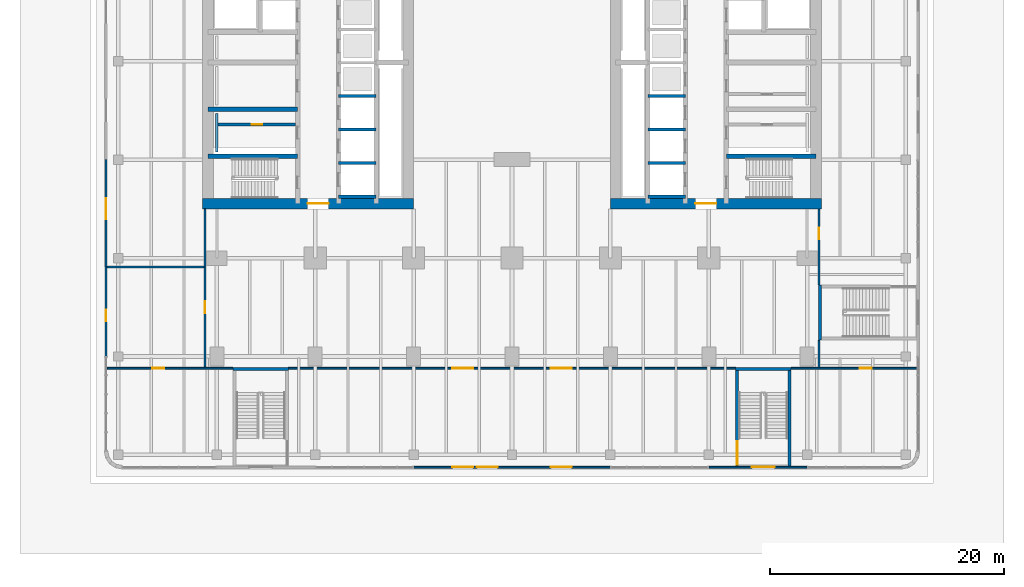
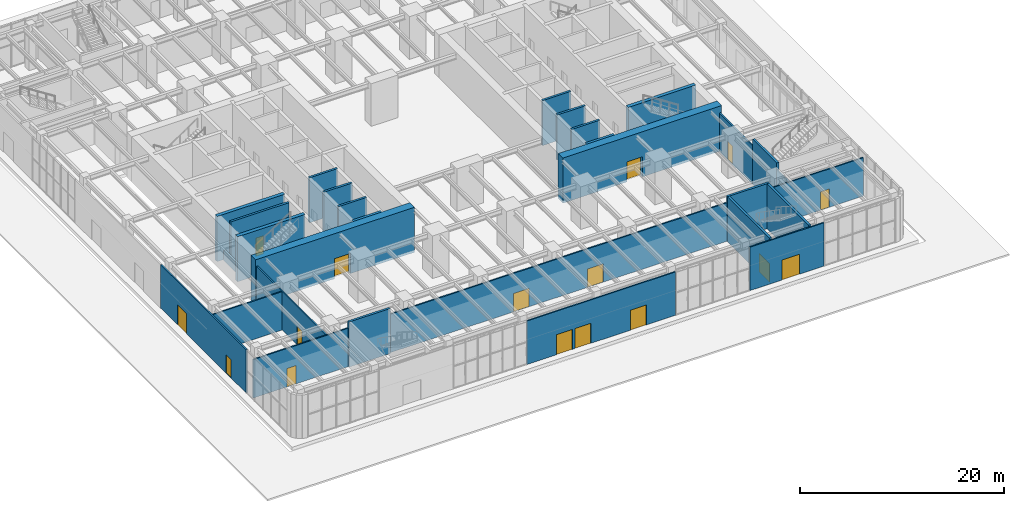
# One storey, part 18 of 31: 30 walls, 16 doors, 16 openings.
"""IFC4 building model written with IfcOpenShell, lengths in metres."""

from ifc_helpers import new_model, si_unit, direction, frame, frame_2d, origin, place, context, subcontext, project, spatial, rectangle, extrude, material, layer, layer_set, type_object, element, fill, save


model = new_model("IFC4")

# Units and contexts
model_context = context("Model", 3, precision=1e-05, world=origin(), true_north=direction((0.0, 1.0)))
body_context = subcontext(model_context, "Body", "Model", "MODEL_VIEW")
ifc_project = project(units=[si_unit("LENGTHUNIT", "METRE"), si_unit("AREAUNIT", "SQUARE_METRE"), si_unit("VOLUMEUNIT", "CUBIC_METRE"), si_unit("PLANEANGLEUNIT", "RADIAN"), si_unit("MASSUNIT", "GRAM", prefix="KILO")], contexts=[model_context])

# Site, building, storey
site_placement = place(None, origin())
site = spatial("IfcSite", under=ifc_project, at=site_placement, CompositionType="ELEMENT")
building_placement = place(site_placement, origin())
building = spatial("IfcBuilding", under=site, at=building_placement, Name="Claustro Exchange Tower", CompositionType="ELEMENT")
storey_placement = place(building_placement, origin())
storey = spatial("IfcBuildingStorey", under=building, at=storey_placement, Name="L00", CompositionType="ELEMENT", Elevation=0.0)

# Wall, openings, doors
ifc_material_1 = material(Name="Aluminium frame, clear double glazing", Category="aluminium")
ifc_layer_1 = layer(ifc_material_1, 0.14990234375)
ifc_layer_set_1 = layer_set([ifc_layer_1], Name="Aluminium frame, clear double glazing")
wall_type_1 = type_object("IfcWallType", Name="GS1 150 glazed entrance screen", PredefinedType="SOLIDWALL", material=ifc_layer_set_1)
wall_1_placement = place(storey_placement, frame((16.800048828125, -9.449951171875, 0.0), z_axis=(0.0, 0.0, 1.0), x_axis=(1.0, 0.0, 0.0)))
wall_1 = element("IfcWall", 1, at=wall_1_placement, inside=storey, type_object=wall_type_1, Name="Entrance screen GS1 L00", PredefinedType="SOLIDWALL", context=body_context, shape_type="SweptSolid", body=[
    extrude(rectangle(XDim=16.800048828125, YDim=0.14990234375, at=frame_2d((8.39990234375, 0.0))), origin(), (0.0, 0.0, 1.0), 5.199951171875),
])
opening_1_placement = place(wall_1_placement, frame((3.300048828125, 0.0, 0.0)))
opening_1 = element("IfcOpeningElement", 2, at=opening_1_placement, cuts=wall_1, Name="Opening DE1", PredefinedType="OPENING", context=body_context, shape_type="SweptSolid", body=[
    extrude(rectangle(XDim=1.800048828125, YDim=2.39990234375, at=frame_2d((0.89990234375, 1.199951171875))), frame((0.0, 0.0849609375, 0.0), z_axis=(0.0, -1.0, 0.0), x_axis=(1.0, 0.0, 0.0)), (0.0, 0.0, 1.0), 0.169921875),
])
opening_2_placement = place(wall_1_placement, frame((5.39990234375, 0.0, 0.0)))
opening_2 = element("IfcOpeningElement", 3, at=opening_2_placement, cuts=wall_1, Name="Opening DE1", PredefinedType="OPENING", context=body_context, shape_type="SweptSolid", body=[
    extrude(rectangle(XDim=1.800048828125, YDim=2.39990234375, at=frame_2d((0.89990234375, 1.199951171875))), frame((0.0, 0.0849609375, 0.0), z_axis=(0.0, -1.0, 0.0), x_axis=(1.0, 0.0, 0.0)), (0.0, 0.0, 1.0), 0.169921875),
])
opening_3_placement = place(wall_1_placement, frame((11.699951171875, 0.0, 0.0)))
opening_3 = element("IfcOpeningElement", 4, at=opening_3_placement, cuts=wall_1, Name="Opening DE1", PredefinedType="OPENING", context=body_context, shape_type="SweptSolid", body=[
    extrude(rectangle(XDim=1.800048828125, YDim=2.39990234375, at=frame_2d((0.89990234375, 1.199951171875))), frame((0.0, 0.0849609375, 0.0), z_axis=(0.0, -1.0, 0.0), x_axis=(1.0, 0.0, 0.0)), (0.0, 0.0, 1.0), 0.169921875),
])
ifc_material_2 = material(Name="Aluminium frame, clear double glazing", Category="aluminium")
door_type_1 = type_object("IfcDoorType", Name="DE1 1800 x 2400 entrance double door", OperationType="DOUBLE_DOOR_SINGLE_SWING", PredefinedType="DOOR", material=ifc_material_2)
door_1_placement = place(opening_1_placement, frame((1.800048828125, 0.0, 0.0), z_axis=(0.0, 0.0, 1.0), x_axis=(-1.0, 0.0, 0.0)))
door_1 = element("IfcDoor", 5, at=door_1_placement, inside=storey, type_object=door_type_1, Name="External door DE1 L00", OperationType="DOUBLE_DOOR_SINGLE_SWING", OverallHeight=2.39990234375, OverallWidth=1.800048828125, PredefinedType="DOOR", context=body_context, shape_type="SweptSolid", body=[
    extrude(rectangle(XDim=1.800048828125, YDim=2.39990234375, at=frame_2d((0.89990234375, 1.199951171875))), frame((0.0, 0.02490234375, 0.0), z_axis=(0.0, -1.0, 0.0), x_axis=(1.0, 0.0, 0.0)), (0.0, 0.0, 1.0), 0.050048828125),
])
fill(opening_1, door_1)
door_2_placement = place(opening_2_placement, frame((1.800048828125, 0.0, 0.0), z_axis=(0.0, 0.0, 1.0), x_axis=(-1.0, 0.0, 0.0)))
door_2 = element("IfcDoor", 6, at=door_2_placement, inside=storey, type_object=door_type_1, Name="External door DE1 L00", OperationType="DOUBLE_DOOR_SINGLE_SWING", OverallHeight=2.39990234375, OverallWidth=1.800048828125, PredefinedType="DOOR", context=body_context, shape_type="SweptSolid", body=[
    extrude(rectangle(XDim=1.800048828125, YDim=2.39990234375, at=frame_2d((0.89990234375, 1.199951171875))), frame((0.0, 0.02490234375, 0.0), z_axis=(0.0, -1.0, 0.0), x_axis=(1.0, 0.0, 0.0)), (0.0, 0.0, 1.0), 0.050048828125),
])
fill(opening_2, door_2)
door_3_placement = place(opening_3_placement, frame((1.800048828125, 0.0, 0.0), z_axis=(0.0, 0.0, 1.0), x_axis=(-1.0, 0.0, 0.0)))
door_3 = element("IfcDoor", 7, at=door_3_placement, inside=storey, type_object=door_type_1, Name="External door DE1 L00", OperationType="DOUBLE_DOOR_SINGLE_SWING", OverallHeight=2.39990234375, OverallWidth=1.800048828125, PredefinedType="DOOR", context=body_context, shape_type="SweptSolid", body=[
    extrude(rectangle(XDim=1.800048828125, YDim=2.39990234375, at=frame_2d((0.89990234375, 1.199951171875))), frame((0.0, 0.02490234375, 0.0), z_axis=(0.0, -1.0, 0.0), x_axis=(1.0, 0.0, 0.0)), (0.0, 0.0, 1.0), 0.050048828125),
])
fill(opening_3, door_3)

# Wall, opening, door
wall_2_placement = place(storey_placement, frame((42.0, -9.449951171875, 0.0), z_axis=(0.0, 0.0, 1.0), x_axis=(1.0, 0.0, 0.0)))
wall_2 = element("IfcWall", 8, at=wall_2_placement, inside=storey, type_object=wall_type_1, Name="Entrance screen GS1 L00", PredefinedType="SOLIDWALL", context=body_context, shape_type="SweptSolid", body=[
    extrude(rectangle(XDim=8.39990234375, YDim=0.14990234375, at=frame_2d((4.199951171875, 0.0))), origin(), (0.0, 0.0, 1.0), 5.199951171875),
])
opening_4_placement = place(wall_2_placement, frame((3.64990234375, 0.0, 0.0)))
opening_4 = element("IfcOpeningElement", 9, at=opening_4_placement, cuts=wall_2, Name="Opening DE5", PredefinedType="OPENING", context=body_context, shape_type="SweptSolid", body=[
    extrude(rectangle(XDim=2.0, YDim=2.39990234375, at=frame_2d((1.0, 1.199951171875))), frame((0.0, 0.0849609375, 0.0), z_axis=(0.0, -1.0, 0.0), x_axis=(1.0, 0.0, 0.0)), (0.0, 0.0, 1.0), 0.169921875),
])
ifc_material_3 = material(Name="Steel door, painted", Category="steel")
door_type_2 = type_object("IfcDoorType", Name="DE5 2000 x 2400 external final exit double door", OperationType="DOUBLE_DOOR_SINGLE_SWING", PredefinedType="DOOR", material=ifc_material_3)
door_4_placement = place(opening_4_placement, frame((2.0, 0.0, 0.0), z_axis=(0.0, 0.0, 1.0), x_axis=(-1.0, 0.0, 0.0)))
door_4 = element("IfcDoor", 10, at=door_4_placement, inside=storey, type_object=door_type_2, Name="External door DE5 L00", OperationType="DOUBLE_DOOR_SINGLE_SWING", OverallHeight=2.39990234375, OverallWidth=2.0, PredefinedType="DOOR", context=body_context, shape_type="SweptSolid", body=[
    extrude(rectangle(XDim=2.0, YDim=2.39990234375, at=frame_2d((1.0, 1.199951171875))), frame((0.0, 0.02490234375, 0.0), z_axis=(0.0, -1.0, 0.0), x_axis=(1.0, 0.0, 0.0)), (0.0, 0.0, 1.0), 0.050048828125),
])
fill(opening_4, door_4)

# Wall, openings, doors
wall_3_placement = place(storey_placement, frame((-9.449951171875, 0.0, 0.0), z_axis=(0.0, 0.0, 1.0), x_axis=(0.0, 1.0, 0.0)))
wall_3 = element("IfcWall", 11, at=wall_3_placement, inside=storey, type_object=wall_type_1, Name="Entrance screen GS1 L00", PredefinedType="SOLIDWALL", context=body_context, shape_type="SweptSolid", body=[
    extrude(rectangle(XDim=16.800048828125, YDim=0.14990234375, at=frame_2d((8.39990234375, 0.0))), origin(), (0.0, 0.0, 1.0), 5.199951171875),
])
opening_5_placement = place(wall_3_placement, frame((3.0, 0.0, 0.0)))
opening_5 = element("IfcOpeningElement", 12, at=opening_5_placement, cuts=wall_3, Name="Opening DE2", PredefinedType="OPENING", context=body_context, shape_type="SweptSolid", body=[
    extrude(rectangle(XDim=1.0, YDim=2.199951171875, at=frame_2d((0.5, 1.10009765625))), frame((0.0, 0.0849609375, 0.0), z_axis=(0.0, -1.0, 0.0), x_axis=(1.0, 0.0, 0.0)), (0.0, 0.0, 1.0), 0.169921875),
])
opening_6_placement = place(wall_3_placement, frame((11.699951171875, 0.0, 0.0)))
opening_6 = element("IfcOpeningElement", 13, at=opening_6_placement, cuts=wall_3, Name="Opening DE1", PredefinedType="OPENING", context=body_context, shape_type="SweptSolid", body=[
    extrude(rectangle(XDim=1.800048828125, YDim=2.39990234375, at=frame_2d((0.89990234375, 1.199951171875))), frame((0.0, 0.0849609375, 0.0), z_axis=(0.0, -1.0, 0.0), x_axis=(1.0, 0.0, 0.0)), (0.0, 0.0, 1.0), 0.169921875),
])
door_5_placement = place(opening_6_placement, origin())
door_5 = element("IfcDoor", 14, at=door_5_placement, inside=storey, type_object=door_type_1, Name="External door DE1 L00", OperationType="DOUBLE_DOOR_SINGLE_SWING", OverallHeight=2.39990234375, OverallWidth=1.800048828125, PredefinedType="DOOR", context=body_context, shape_type="SweptSolid", body=[
    extrude(rectangle(XDim=1.800048828125, YDim=2.39990234375, at=frame_2d((0.89990234375, 1.199951171875))), frame((0.0, 0.02490234375, 0.0), z_axis=(0.0, -1.0, 0.0), x_axis=(1.0, 0.0, 0.0)), (0.0, 0.0, 1.0), 0.050048828125),
])
fill(opening_6, door_5)
ifc_material_4 = material(Name="Steel door, painted", Category="steel")
door_type_3 = type_object("IfcDoorType", Name="DE2 1000 x 2200 external single door", OperationType="SINGLE_SWING_LEFT", PredefinedType="DOOR", material=ifc_material_4)
door_6_placement = place(opening_5_placement, origin())
door_6 = element("IfcDoor", 15, at=door_6_placement, inside=storey, type_object=door_type_3, Name="External door DE2 L00", OperationType="SINGLE_SWING_LEFT", OverallHeight=2.199951171875, OverallWidth=1.0, PredefinedType="DOOR", context=body_context, shape_type="SweptSolid", body=[
    extrude(rectangle(XDim=1.0, YDim=2.199951171875, at=frame_2d((0.5, 1.10009765625))), frame((0.0, 0.02490234375, 0.0), z_axis=(0.0, -1.0, 0.0), x_axis=(1.0, 0.0, 0.0)), (0.0, 0.0, 1.0), 0.050048828125),
])
fill(opening_5, door_6)

# Wall, opening, door
ifc_material_5 = material(Name="Gypsum board on steel studs", Category="steel")
ifc_layer_2 = layer(ifc_material_5, 0.14990234375)
ifc_layer_set_2 = layer_set([ifc_layer_2], Name="Gypsum board on steel studs")
wall_type_2 = type_object("IfcWallType", Name="P1 150 plasterboard partition", PredefinedType="PARTITIONING", material=ifc_layer_set_2)
wall_4_placement = place(storey_placement, frame((-9.35009765625, -1.0, 0.0), z_axis=(0.0, 0.0, 1.0), x_axis=(1.0, 0.0, 0.0)))
wall_4 = element("IfcWall", 16, at=wall_4_placement, inside=storey, type_object=wall_type_2, Name="Partition P1 L00", PredefinedType="PARTITIONING", context=body_context, shape_type="SweptSolid", body=[
    extrude(rectangle(XDim=10.72998046875, YDim=0.14990234375, at=frame_2d((5.364990234375, 0.0))), origin(), (0.0, 0.0, 1.0), 4.60009765625),
])
opening_7_placement = place(wall_4_placement, frame((3.85009765625, 0.0, 0.0)))
opening_7 = element("IfcOpeningElement", 17, at=opening_7_placement, cuts=wall_4, Name="Opening D1", PredefinedType="OPENING", context=body_context, shape_type="SweptSolid", body=[
    extrude(rectangle(XDim=1.0, YDim=2.199951171875, at=frame_2d((0.5, 1.10009765625))), frame((0.0, 0.0849609375, 0.0), z_axis=(0.0, -1.0, 0.0), x_axis=(1.0, 0.0, 0.0)), (0.0, 0.0, 1.0), 0.169921875),
])
ifc_material_6 = material(Name="Timber door, oak veneer", Category="wood")
door_type_4 = type_object("IfcDoorType", Name="D1 1000 x 2200 single door", OperationType="SINGLE_SWING_LEFT", PredefinedType="DOOR", material=ifc_material_6)
door_7_placement = place(opening_7_placement, origin())
door_7 = element("IfcDoor", 18, at=door_7_placement, inside=storey, type_object=door_type_4, Name="Door D1 L00", OperationType="SINGLE_SWING_RIGHT", OverallHeight=2.199951171875, OverallWidth=1.0, PredefinedType="DOOR", context=body_context, shape_type="SweptSolid", body=[
    extrude(rectangle(XDim=1.0, YDim=2.199951171875, at=frame_2d((0.5, 1.10009765625))), frame((0.0, 0.02490234375, 0.0), z_axis=(0.0, -1.0, 0.0), x_axis=(1.0, 0.0, 0.0)), (0.0, 0.0, 1.0), 0.050048828125),
])
fill(opening_7, door_7)

# Wall, openings, doors
wall_5_placement = place(storey_placement, frame((6.1201171875, -1.0, 0.0), z_axis=(0.0, 0.0, 1.0), x_axis=(1.0, 0.0, 0.0)))
wall_5 = element("IfcWall", 19, at=wall_5_placement, inside=storey, type_object=wall_type_2, Name="Partition P1 L00", PredefinedType="PARTITIONING", context=body_context, shape_type="SweptSolid", body=[
    extrude(rectangle(XDim=38.159912109375, YDim=0.14990234375, at=frame_2d((19.080078125, 0.0))), origin(), (0.0, 0.0, 1.0), 4.60009765625),
])
opening_8_placement = place(wall_5_placement, frame((13.97998046875, 0.0, 0.0)))
opening_8 = element("IfcOpeningElement", 20, at=opening_8_placement, cuts=wall_5, Name="Opening D2", PredefinedType="OPENING", context=body_context, shape_type="SweptSolid", body=[
    extrude(rectangle(XDim=1.800048828125, YDim=2.199951171875, at=frame_2d((0.89990234375, 1.10009765625))), frame((0.0, 0.0849609375, 0.0), z_axis=(0.0, -1.0, 0.0), x_axis=(1.0, 0.0, 0.0)), (0.0, 0.0, 1.0), 0.169921875),
])
opening_9_placement = place(wall_5_placement, frame((22.3798828125, 0.0, 0.0)))
opening_9 = element("IfcOpeningElement", 21, at=opening_9_placement, cuts=wall_5, Name="Opening D2", PredefinedType="OPENING", context=body_context, shape_type="SweptSolid", body=[
    extrude(rectangle(XDim=1.800048828125, YDim=2.199951171875, at=frame_2d((0.89990234375, 1.10009765625))), frame((0.0, 0.0849609375, 0.0), z_axis=(0.0, -1.0, 0.0), x_axis=(1.0, 0.0, 0.0)), (0.0, 0.0, 1.0), 0.169921875),
])
ifc_material_7 = material(Name="Timber door, oak veneer", Category="wood")
door_type_5 = type_object("IfcDoorType", Name="D2 1800 x 2200 double door", OperationType="DOUBLE_DOOR_SINGLE_SWING", PredefinedType="DOOR", material=ifc_material_7)
door_8_placement = place(opening_8_placement, frame((1.800048828125, 0.0, 0.0), z_axis=(0.0, 0.0, 1.0), x_axis=(-1.0, 0.0, 0.0)))
door_8 = element("IfcDoor", 22, at=door_8_placement, inside=storey, type_object=door_type_5, Name="Double door D2 L00", OperationType="DOUBLE_DOOR_SINGLE_SWING", OverallHeight=2.199951171875, OverallWidth=1.800048828125, PredefinedType="DOOR", context=body_context, shape_type="SweptSolid", body=[
    extrude(rectangle(XDim=1.800048828125, YDim=2.199951171875, at=frame_2d((0.89990234375, 1.10009765625))), frame((0.0, 0.02490234375, 0.0), z_axis=(0.0, -1.0, 0.0), x_axis=(1.0, 0.0, 0.0)), (0.0, 0.0, 1.0), 0.050048828125),
])
fill(opening_8, door_8)
door_9_placement = place(opening_9_placement, frame((1.800048828125, 0.0, 0.0), z_axis=(0.0, 0.0, 1.0), x_axis=(-1.0, 0.0, 0.0)))
door_9 = element("IfcDoor", 23, at=door_9_placement, inside=storey, type_object=door_type_5, Name="Double door D2 L00", OperationType="DOUBLE_DOOR_SINGLE_SWING", OverallHeight=2.199951171875, OverallWidth=1.800048828125, PredefinedType="DOOR", context=body_context, shape_type="SweptSolid", body=[
    extrude(rectangle(XDim=1.800048828125, YDim=2.199951171875, at=frame_2d((0.89990234375, 1.10009765625))), frame((0.0, 0.02490234375, 0.0), z_axis=(0.0, -1.0, 0.0), x_axis=(1.0, 0.0, 0.0)), (0.0, 0.0, 1.0), 0.050048828125),
])
fill(opening_9, door_9)

# Wall, opening, door
wall_6_placement = place(storey_placement, frame((49.02001953125, -1.0, 0.0), z_axis=(0.0, 0.0, 1.0), x_axis=(1.0, 0.0, 0.0)))
wall_6 = element("IfcWall", 24, at=wall_6_placement, inside=storey, type_object=wall_type_2, Name="Partition P1 L00", PredefinedType="PARTITIONING", context=body_context, shape_type="SweptSolid", body=[
    extrude(rectangle(XDim=10.73193359375, YDim=0.14990234375, at=frame_2d((5.365966796875, 0.0))), origin(), (0.0, 0.0, 1.0), 4.60009765625),
])
opening_10_placement = place(wall_6_placement, frame((5.8798828125, 0.0, 0.0)))
opening_10 = element("IfcOpeningElement", 25, at=opening_10_placement, cuts=wall_6, Name="Opening D1", PredefinedType="OPENING", context=body_context, shape_type="SweptSolid", body=[
    extrude(rectangle(XDim=1.0, YDim=2.199951171875, at=frame_2d((0.5, 1.10009765625))), frame((0.0, 0.0849609375, 0.0), z_axis=(0.0, -1.0, 0.0), x_axis=(1.0, 0.0, 0.0)), (0.0, 0.0, 1.0), 0.169921875),
])
door_10_placement = place(opening_10_placement, frame((1.0, 0.0, 0.0), z_axis=(0.0, 0.0, 1.0), x_axis=(-1.0, 0.0, 0.0)))
door_10 = element("IfcDoor", 26, at=door_10_placement, inside=storey, type_object=door_type_4, Name="Door D1 L00", OperationType="SINGLE_SWING_LEFT", OverallHeight=2.199951171875, OverallWidth=1.0, PredefinedType="DOOR", context=body_context, shape_type="SweptSolid", body=[
    extrude(rectangle(XDim=1.0, YDim=2.199951171875, at=frame_2d((0.5, 1.10009765625))), frame((0.0, 0.02490234375, 0.0), z_axis=(0.0, -1.0, 0.0), x_axis=(1.0, 0.0, 0.0)), (0.0, 0.0, 1.0), 0.050048828125),
])
fill(opening_10, door_10)

wall_7_placement = place(storey_placement, frame((-1.0, -0.926025390625, 0.0), z_axis=(0.0, 0.0, 1.0), x_axis=(0.0, 1.0, 0.0)))
wall_7 = element("IfcWall", 27, at=wall_7_placement, inside=storey, type_object=wall_type_2, Name="Partition P1 L00", PredefinedType="PARTITIONING", context=body_context, shape_type="SweptSolid", body=[
    extrude(rectangle(XDim=13.528076171875, YDim=0.14990234375, at=frame_2d((6.76416015625, 0.0))), origin(), (0.0, 0.0, 1.0), 4.60009765625),
])
opening_11_placement = place(wall_7_placement, frame((4.6259765625, 0.0, 0.0)))
opening_11 = element("IfcOpeningElement", 28, at=opening_11_placement, cuts=wall_7, Name="Opening D1", PredefinedType="OPENING", context=body_context, shape_type="SweptSolid", body=[
    extrude(rectangle(XDim=1.0, YDim=2.199951171875, at=frame_2d((0.5, 1.10009765625))), frame((0.0, 0.0849609375, 0.0), z_axis=(0.0, -1.0, 0.0), x_axis=(1.0, 0.0, 0.0)), (0.0, 0.0, 1.0), 0.169921875),
])
door_11_placement = place(opening_11_placement, origin())
door_11 = element("IfcDoor", 29, at=door_11_placement, inside=storey, type_object=door_type_4, Name="Door D1 L00", OperationType="SINGLE_SWING_RIGHT", OverallHeight=2.199951171875, OverallWidth=1.0, PredefinedType="DOOR", context=body_context, shape_type="SweptSolid", body=[
    extrude(rectangle(XDim=1.0, YDim=2.199951171875, at=frame_2d((0.5, 1.10009765625))), frame((0.0, 0.02490234375, 0.0), z_axis=(0.0, -1.0, 0.0), x_axis=(1.0, 0.0, 0.0)), (0.0, 0.0, 1.0), 0.050048828125),
])
fill(opening_11, door_11)

# Wall
wall_8_placement = place(storey_placement, frame((51.39990234375, -0.926025390625, 0.0), z_axis=(0.0, 0.0, 1.0), x_axis=(0.0, 1.0, 0.0)))
element("IfcWall", 30, at=wall_8_placement, inside=storey, type_object=wall_type_2, Name="Partition P1 L00", PredefinedType="PARTITIONING", context=body_context, shape_type="SweptSolid", body=[
    extrude(rectangle(XDim=2.305908203125, YDim=0.14990234375, at=frame_2d((1.15283203125, 0.0))), origin(), (0.0, 0.0, 1.0), 4.60009765625),
])

# Wall, opening, door
wall_9_placement = place(storey_placement, frame((51.39990234375, 6.1201171875, 0.0), z_axis=(0.0, 0.0, 1.0), x_axis=(0.0, 1.0, 0.0)))
wall_9 = element("IfcWall", 31, at=wall_9_placement, inside=storey, type_object=wall_type_2, Name="Partition P1 L00", PredefinedType="PARTITIONING", context=body_context, shape_type="SweptSolid", body=[
    extrude(rectangle(XDim=6.48193359375, YDim=0.14990234375, at=frame_2d((3.240966796875, 0.0))), origin(), (0.0, 0.0, 1.0), 4.60009765625),
])
opening_12_placement = place(wall_9_placement, frame((3.8798828125, 0.0, 0.0)))
opening_12 = element("IfcOpeningElement", 32, at=opening_12_placement, cuts=wall_9, Name="Opening D1", PredefinedType="OPENING", context=body_context, shape_type="SweptSolid", body=[
    extrude(rectangle(XDim=1.0, YDim=2.199951171875, at=frame_2d((0.5, 1.10009765625))), frame((0.0, 0.0849609375, 0.0), z_axis=(0.0, -1.0, 0.0), x_axis=(1.0, 0.0, 0.0)), (0.0, 0.0, 1.0), 0.169921875),
])
door_12_placement = place(opening_12_placement, origin())
door_12 = element("IfcDoor", 33, at=door_12_placement, inside=storey, type_object=door_type_4, Name="Door D1 L00", OperationType="SINGLE_SWING_RIGHT", OverallHeight=2.199951171875, OverallWidth=1.0, PredefinedType="DOOR", context=body_context, shape_type="SweptSolid", body=[
    extrude(rectangle(XDim=1.0, YDim=2.199951171875, at=frame_2d((0.5, 1.10009765625))), frame((0.0, 0.02490234375, 0.0), z_axis=(0.0, -1.0, 0.0), x_axis=(1.0, 0.0, 0.0)), (0.0, 0.0, 1.0), 0.050048828125),
])
fill(opening_12, door_12)

# Wall
wall_10_placement = place(storey_placement, frame((-9.3759765625, 7.64990234375, 0.0), z_axis=(0.0, 0.0, 1.0), x_axis=(1.0, 0.0, 0.0)))
element("IfcWall", 34, at=wall_10_placement, inside=storey, type_object=wall_type_2, Name="Partition P1 L00", PredefinedType="PARTITIONING", context=body_context, shape_type="SweptSolid", body=[
    extrude(rectangle(XDim=8.302001953125, YDim=0.14990234375, at=frame_2d((4.15087890625, 0.0))), origin(), (0.0, 0.0, 1.0), 4.60009765625),
])

# Wall, opening, door
ifc_material_8 = material(Name="Concrete blockwork, rendered", Category="masonry")
ifc_layer_3 = layer(ifc_material_8, 0.25)
ifc_layer_set_3 = layer_set([ifc_layer_3], Name="Concrete blockwork, rendered")
wall_type_3 = type_object("IfcWallType", Name="P4 250 blockwork wall", PredefinedType="PARTITIONING", material=ifc_layer_set_3)
wall_11_placement = place(storey_placement, frame((0.10009765625, 19.800048828125, 0.0), z_axis=(0.0, 0.0, 1.0), x_axis=(1.0, 0.0, 0.0)))
wall_11 = element("IfcWall", 35, at=wall_11_placement, inside=storey, type_object=wall_type_3, Name="Partition P4 L00", PredefinedType="PARTITIONING", context=body_context, shape_type="SweptSolid", body=[
    extrude(rectangle(XDim=6.599853515625, YDim=0.25, at=frame_2d((3.2998046875, 0.0))), origin(), (0.0, 0.0, 1.0), 5.199951171875),
])
opening_13_placement = place(wall_11_placement, frame((2.875, 0.0, 0.0)))
opening_13 = element("IfcOpeningElement", 36, at=opening_13_placement, cuts=wall_11, Name="Opening D5", PredefinedType="OPENING", context=body_context, shape_type="SweptSolid", body=[
    extrude(rectangle(XDim=0.89990234375, YDim=2.199951171875, at=frame_2d((0.449951171875, 1.10009765625))), frame((0.0, 0.135009765625, 0.0), z_axis=(0.0, -1.0, 0.0), x_axis=(1.0, 0.0, 0.0)), (0.0, 0.0, 1.0), 0.27001953125),
])
ifc_material_9 = material(Name="Steel door, painted", Category="steel")
door_type_6 = type_object("IfcDoorType", Name="D5 900 x 2200 store door", OperationType="SINGLE_SWING_LEFT", PredefinedType="DOOR", material=ifc_material_9)
door_13_placement = place(opening_13_placement, origin())
door_13 = element("IfcDoor", 37, at=door_13_placement, inside=storey, type_object=door_type_6, Name="Store door D5 L00", OperationType="SINGLE_SWING_LEFT", OverallHeight=2.199951171875, OverallWidth=0.89990234375, PredefinedType="DOOR", context=body_context, shape_type="SweptSolid", body=[
    extrude(rectangle(XDim=0.89990234375, YDim=2.199951171875, at=frame_2d((0.449951171875, 1.10009765625))), frame((0.0, 0.02490234375, 0.0), z_axis=(0.0, -1.0, 0.0), x_axis=(1.0, 0.0, 0.0)), (0.0, 0.0, 1.0), 0.050048828125),
])
fill(opening_13, door_13)

# Wall
ifc_material_10 = material(Name="Gypsum board on steel studs, tiled", Category="steel")
ifc_layer_4 = layer(ifc_material_10, 0.199951171875)
ifc_layer_set_4 = layer_set([ifc_layer_4], Name="Gypsum board on steel studs, tiled")
wall_type_4 = type_object("IfcWallType", Name="PW1 200 WC duct wall", PredefinedType="PLUMBINGWALL", material=ifc_layer_set_4)
wall_12_placement = place(storey_placement, frame((0.0, 17.449951171875, 0.0), z_axis=(0.0, 0.0, 1.0), x_axis=(0.0, 1.0, 0.0)))
element("IfcWall", 38, at=wall_12_placement, inside=storey, type_object=wall_type_4, Name="WC duct wall PW1 L00", PredefinedType="PLUMBINGWALL", context=body_context, shape_type="SweptSolid", body=[
    extrude(rectangle(XDim=3.300048828125, YDim=0.199951171875, at=frame_2d((1.64990234375, 0.0))), origin(), (0.0, 0.0, 1.0), 1.199951171875),
])

# Wall, opening, door
ifc_material_11 = material(Name="Concrete HA-70 (C70/85)", Category="concrete")
ifc_layer_5 = layer(ifc_material_11, 0.89990234375)
ifc_layer_set_5 = layer_set([ifc_layer_5], Name="Concrete HA-70 (C70/85)")
wall_type_5 = type_object("IfcWallType", Name="SW1 900 core shear wall", PredefinedType="SHEAR", material=ifc_layer_set_5)
wall_13_placement = place(storey_placement, frame((-1.199951171875, 13.050048828125, 0.0), z_axis=(0.0, 0.0, 1.0), x_axis=(1.0, 0.0, 0.0)))
wall_13 = element("IfcWall", 39, at=wall_13_placement, inside=storey, type_object=wall_type_5, Name="Core wall SW1 W core S face L00", PredefinedType="SHEAR", context=body_context, shape_type="SweptSolid", body=[
    extrude(rectangle(XDim=18.0, YDim=0.89990234375, at=frame_2d((9.0, 0.0))), origin(), (0.0, 0.0, 1.0), 5.39990234375),
])
opening_14_placement = place(wall_13_placement, frame((8.949951171875, 0.0, 0.0)))
opening_14 = element("IfcOpeningElement", 40, at=opening_14_placement, cuts=wall_13, Name="Opening D3", PredefinedType="OPENING", context=body_context, shape_type="SweptSolid", body=[
    extrude(rectangle(XDim=1.800048828125, YDim=2.39990234375, at=frame_2d((0.89990234375, 1.199951171875))), frame((0.0, 0.4599609375, 0.0), z_axis=(0.0, -1.0, 0.0), x_axis=(1.0, 0.0, 0.0)), (0.0, 0.0, 1.0), 0.919921875),
])
ifc_material_12 = material(Name="Steel fire door, painted", Category="steel")
door_type_7 = type_object("IfcDoorType", Name="D3 1800 x 2400 fire-rated lobby double door", OperationType="DOUBLE_DOOR_SINGLE_SWING", PredefinedType="DOOR", material=ifc_material_12)
door_14_placement = place(opening_14_placement, origin())
door_14 = element("IfcDoor", 41, at=door_14_placement, inside=storey, type_object=door_type_7, Name="Lift lobby door D3 L00", OperationType="DOUBLE_DOOR_SINGLE_SWING", OverallHeight=2.39990234375, OverallWidth=1.800048828125, PredefinedType="DOOR", context=body_context, shape_type="SweptSolid", body=[
    extrude(rectangle(XDim=1.800048828125, YDim=2.39990234375, at=frame_2d((0.89990234375, 1.199951171875))), frame((0.0, 0.02490234375, 0.0), z_axis=(0.0, -1.0, 0.0), x_axis=(1.0, 0.0, 0.0)), (0.0, 0.0, 1.0), 0.050048828125),
])
fill(opening_14, door_14)

wall_14_placement = place(storey_placement, frame((33.60009765625, 13.050048828125, 0.0), z_axis=(0.0, 0.0, 1.0), x_axis=(1.0, 0.0, 0.0)))
wall_14 = element("IfcWall", 42, at=wall_14_placement, inside=storey, type_object=wall_type_5, Name="Core wall SW1 E core S face L00", PredefinedType="SHEAR", context=body_context, shape_type="SweptSolid", body=[
    extrude(rectangle(XDim=18.0, YDim=0.89990234375, at=frame_2d((9.0, 0.0))), origin(), (0.0, 0.0, 1.0), 5.39990234375),
])
opening_15_placement = place(wall_14_placement, frame((7.25, 0.0, 0.0)))
opening_15 = element("IfcOpeningElement", 43, at=opening_15_placement, cuts=wall_14, Name="Opening D3", PredefinedType="OPENING", context=body_context, shape_type="SweptSolid", body=[
    extrude(rectangle(XDim=1.800048828125, YDim=2.39990234375, at=frame_2d((0.89990234375, 1.199951171875))), frame((0.0, 0.4599609375, 0.0), z_axis=(0.0, -1.0, 0.0), x_axis=(1.0, 0.0, 0.0)), (0.0, 0.0, 1.0), 0.919921875),
])
door_15_placement = place(opening_15_placement, origin())
door_15 = element("IfcDoor", 44, at=door_15_placement, inside=storey, type_object=door_type_7, Name="Lift lobby door D3 L00", OperationType="DOUBLE_DOOR_SINGLE_SWING", OverallHeight=2.39990234375, OverallWidth=1.800048828125, PredefinedType="DOOR", context=body_context, shape_type="SweptSolid", body=[
    extrude(rectangle(XDim=1.800048828125, YDim=2.39990234375, at=frame_2d((0.89990234375, 1.199951171875))), frame((0.0, 0.02490234375, 0.0), z_axis=(0.0, -1.0, 0.0), x_axis=(1.0, 0.0, 0.0)), (0.0, 0.0, 1.0), 0.050048828125),
])
fill(opening_15, door_15)

# Walls
ifc_material_13 = material(Name="Concrete HA-50 (C50/60)", Category="concrete")
ifc_layer_6 = layer(ifc_material_13, 0.39990234375)
ifc_layer_set_6 = layer_set([ifc_layer_6], Name="Concrete HA-50 (C50/60)")
wall_type_6 = type_object("IfcWallType", Name="SW4 400 internal core wall", PredefinedType="SHEAR", material=ifc_layer_set_6)
for number, where, z_axis, x_axis, name in (
    (45, (-0.75, 17.10009765625, 0.0), (0.0, 0.0, 1.0), (1.0, 0.0, 0.0), "Internal core wall SW4 W core L00"),
    (46, (-0.75, 21.10009765625, 0.0), (0.0, 0.0, 1.0), (1.0, 0.0, 0.0), "Internal core wall SW4 W core L00"),
    (47, (51.14990234375, 17.10009765625, 0.0), (0.0, 0.0, 1.0), (-1.0, 0.0, 0.0), "Internal core wall SW4 E core L00"),
):
    element("IfcWall", number, at=place(storey_placement, frame(where, z_axis=z_axis, x_axis=x_axis)), inside=storey, type_object=wall_type_6, Name=name, PredefinedType="SHEAR", context=body_context, shape_type="SweptSolid", body=[
        extrude(rectangle(XDim=7.64990234375, YDim=0.39990234375, at=frame_2d((3.824951171875, 0.0))), origin(), (0.0, 0.0, 1.0), 5.39990234375),
    ])
ifc_material_14 = material(Name="Concrete HA-50 (C50/60)", Category="concrete")
ifc_layer_7 = layer(ifc_material_14, 0.25)
ifc_layer_set_7 = layer_set([ifc_layer_7], Name="Concrete HA-50 (C50/60)")
wall_type_7 = type_object("IfcWallType", Name="SW5 250 lift shaft divider wall", PredefinedType="SHEAR", material=ifc_layer_set_7)
for number, where, z_axis, x_axis, name in (
    (48, (10.39990234375, 16.52490234375, 0.0), (0.0, 0.0, 1.0), (1.0, 0.0, 0.0), "Lift shaft wall W core L00"),
    (49, (10.39990234375, 19.375, 0.0), (0.0, 0.0, 1.0), (1.0, 0.0, 0.0), "Lift shaft wall W core L00"),
    (50, (10.39990234375, 22.22509765625, 0.0), (0.0, 0.0, 1.0), (1.0, 0.0, 0.0), "Lift shaft wall W core L00"),
):
    element("IfcWall", number, at=place(storey_placement, frame(where, z_axis=z_axis, x_axis=x_axis)), inside=storey, type_object=wall_type_7, Name=name, PredefinedType="SHEAR", context=body_context, shape_type="SweptSolid", body=[
        extrude(rectangle(XDim=3.2001953125, YDim=0.25, at=frame_2d((1.60009765625, 0.0))), origin(), (0.0, 0.0, 1.0), 5.39990234375),
    ])
for number, where, z_axis, x_axis, name in (
    (51, (40.0, 16.52490234375, 0.0), (0.0, 0.0, 1.0), (-1.0, 0.0, 0.0), "Lift shaft wall E core L00"),
    (52, (40.0, 19.375, 0.0), (0.0, 0.0, 1.0), (-1.0, 0.0, 0.0), "Lift shaft wall E core L00"),
    (53, (40.0, 22.22509765625, 0.0), (0.0, 0.0, 1.0), (-1.0, 0.0, 0.0), "Lift shaft wall E core L00"),
):
    element("IfcWall", number, at=place(storey_placement, frame(where, z_axis=z_axis, x_axis=x_axis)), inside=storey, type_object=wall_type_7, Name=name, PredefinedType="SHEAR", context=body_context, shape_type="SweptSolid", body=[
        extrude(rectangle(XDim=3.199951171875, YDim=0.25, at=frame_2d((1.60009765625, 0.0))), origin(), (0.0, 0.0, 1.0), 5.39990234375),
    ])
ifc_material_15 = material(Name="Concrete HA-50 (C50/60)", Category="concrete")
ifc_layer_8 = layer(ifc_material_15, 0.300048828125)
ifc_layer_set_8 = layer_set([ifc_layer_8], Name="Concrete HA-50 (C50/60)")
wall_type_8 = type_object("IfcWallType", Name="SW6A 300 lift shaft end wall", PredefinedType="SHEAR", material=ifc_layer_set_8)
wall_15_placement = place(storey_placement, frame((10.39990234375, 13.64990234375, 0.0), z_axis=(0.0, 0.0, 1.0), x_axis=(1.0, 0.0, 0.0)))
element("IfcWall", 54, at=wall_15_placement, inside=storey, type_object=wall_type_8, Name="Lift shaft wall W core L00", PredefinedType="SHEAR", context=body_context, shape_type="SweptSolid", body=[
    extrude(rectangle(XDim=3.2001953125, YDim=0.300048828125, at=frame_2d((1.60009765625, 0.0))), origin(), (0.0, 0.0, 1.0), 5.39990234375),
])
wall_16_placement = place(storey_placement, frame((40.0, 13.64990234375, 0.0), z_axis=(0.0, 0.0, 1.0), x_axis=(-1.0, 0.0, 0.0)))
element("IfcWall", 55, at=wall_16_placement, inside=storey, type_object=wall_type_8, Name="Lift shaft wall E core L00", PredefinedType="SHEAR", context=body_context, shape_type="SweptSolid", body=[
    extrude(rectangle(XDim=3.199951171875, YDim=0.300048828125, at=frame_2d((1.60009765625, 0.0))), origin(), (0.0, 0.0, 1.0), 5.39990234375),
])
ifc_material_16 = material(Name="Concrete HA-40 (C40/50)", Category="concrete")
ifc_layer_9 = layer(ifc_material_16, 0.25)
ifc_layer_set_9 = layer_set([ifc_layer_9], Name="Concrete HA-40 (C40/50)")
wall_type_9 = type_object("IfcWallType", Name="SW7 250 reinforced concrete stair wall", PredefinedType="SOLIDWALL", material=ifc_layer_set_9)
wall_17_placement = place(storey_placement, frame((1.39990234375, -1.074951171875, 0.0), z_axis=(0.0, 0.0, 1.0), x_axis=(1.0, 0.0, 0.0)))
element("IfcWall", 56, at=wall_17_placement, inside=storey, type_object=wall_type_9, Name="Stair enclosure wall STP1 SW7 L00", PredefinedType="SOLIDWALL", context=body_context, shape_type="SweptSolid", body=[
    extrude(rectangle(XDim=4.7001953125, YDim=0.25, at=frame_2d((2.35009765625, 0.0))), origin(), (0.0, 0.0, 1.0), 5.39990234375),
])

# Wall, opening, door
wall_18_placement = place(storey_placement, frame((44.425048828125, -9.3759765625, 0.0), z_axis=(0.0, 0.0, 1.0), x_axis=(0.0, 1.0, 0.0)))
wall_18 = element("IfcWall", 57, at=wall_18_placement, inside=storey, type_object=wall_type_9, Name="Stair enclosure wall STP2 SW7 L00", PredefinedType="SOLIDWALL", context=body_context, shape_type="SweptSolid", body=[
    extrude(rectangle(XDim=8.176025390625, YDim=0.25, at=frame_2d((4.087890625, 0.0))), origin(), (0.0, 0.0, 1.0), 5.39990234375),
])
opening_16_placement = place(wall_18_placement, frame((0.14990234375, 0.0, 0.0)))
opening_16 = element("IfcOpeningElement", 58, at=opening_16_placement, cuts=wall_18, Name="Opening D11", PredefinedType="OPENING", context=body_context, shape_type="SweptSolid", body=[
    extrude(rectangle(XDim=2.0, YDim=2.199951171875, at=frame_2d((1.0, 1.10009765625))), frame((0.0, 0.135009765625, 0.0), z_axis=(0.0, -1.0, 0.0), x_axis=(1.0, 0.0, 0.0)), (0.0, 0.0, 1.0), 0.27001953125),
])
ifc_material_17 = material(Name="Steel fire door, painted", Category="steel")
door_type_8 = type_object("IfcDoorType", Name="D11 2000 x 2200 fire-rated stair double door", OperationType="DOUBLE_DOOR_SINGLE_SWING", PredefinedType="DOOR", material=ifc_material_17)
door_16_placement = place(opening_16_placement, origin())
door_16 = element("IfcDoor", 59, at=door_16_placement, inside=storey, type_object=door_type_8, Name="Stair door STP2 D11 L00", OperationType="DOUBLE_DOOR_SINGLE_SWING", OverallHeight=2.199951171875, OverallWidth=2.0, PredefinedType="DOOR", context=body_context, shape_type="SweptSolid", body=[
    extrude(rectangle(XDim=2.0, YDim=2.199951171875, at=frame_2d((1.0, 1.10009765625))), frame((0.0, 0.02490234375, 0.0), z_axis=(0.0, -1.0, 0.0), x_axis=(1.0, 0.0, 0.0)), (0.0, 0.0, 1.0), 0.050048828125),
])
fill(opening_16, door_16)

# Walls
wall_19_placement = place(storey_placement, frame((48.875, -9.3759765625, 0.0), z_axis=(0.0, 0.0, 1.0), x_axis=(0.0, 1.0, 0.0)))
element("IfcWall", 60, at=wall_19_placement, inside=storey, type_object=wall_type_9, Name="Stair enclosure wall STP2 SW7 L00", PredefinedType="SOLIDWALL", context=body_context, shape_type="SweptSolid", body=[
    extrude(rectangle(XDim=8.176025390625, YDim=0.25, at=frame_2d((4.087890625, 0.0))), origin(), (0.0, 0.0, 1.0), 5.39990234375),
])
wall_20_placement = place(storey_placement, frame((44.300048828125, -1.074951171875, 0.0), z_axis=(0.0, 0.0, 1.0), x_axis=(1.0, 0.0, 0.0)))
element("IfcWall", 61, at=wall_20_placement, inside=storey, type_object=wall_type_9, Name="Stair enclosure wall STP2 SW7 L00", PredefinedType="SOLIDWALL", context=body_context, shape_type="SweptSolid", body=[
    extrude(rectangle(XDim=4.699951171875, YDim=0.25, at=frame_2d((2.35009765625, 0.0))), origin(), (0.0, 0.0, 1.0), 5.39990234375),
])
wall_21_placement = place(storey_placement, frame((51.47509765625, 1.39990234375, 0.0), z_axis=(0.0, 0.0, 1.0), x_axis=(0.0, 1.0, 0.0)))
element("IfcWall", 62, at=wall_21_placement, inside=storey, type_object=wall_type_9, Name="Stair enclosure wall STP6 SW7 L00", PredefinedType="SOLIDWALL", context=body_context, shape_type="SweptSolid", body=[
    extrude(rectangle(XDim=4.7001953125, YDim=0.25, at=frame_2d((2.35009765625, 0.0))), origin(), (0.0, 0.0, 1.0), 5.39990234375),
])

save(model, "model.ifc")
